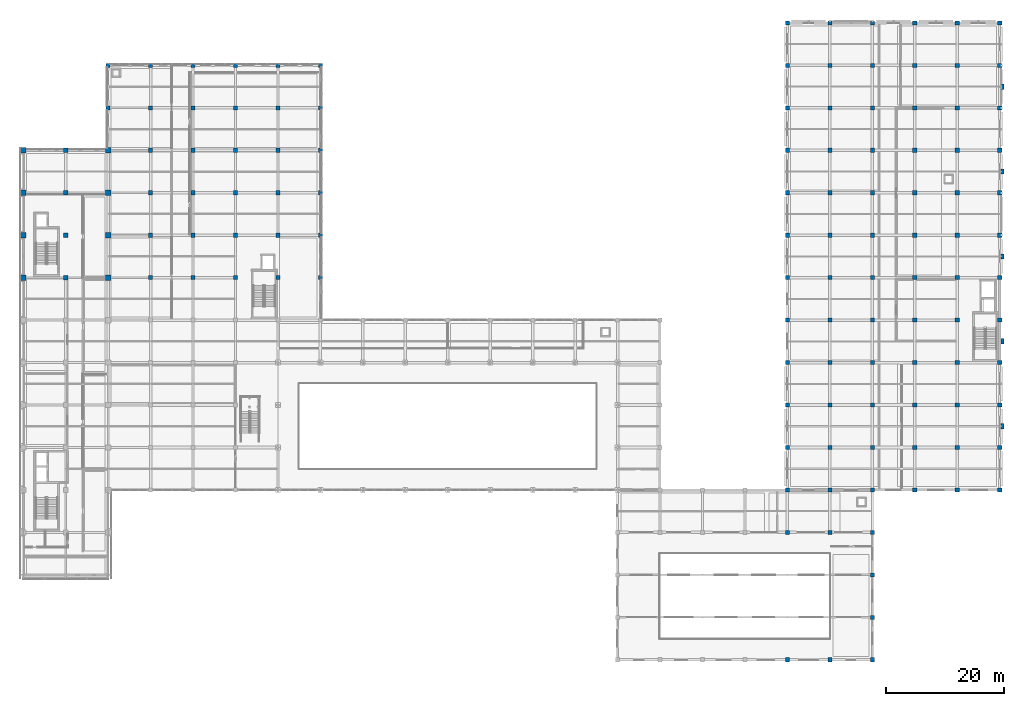
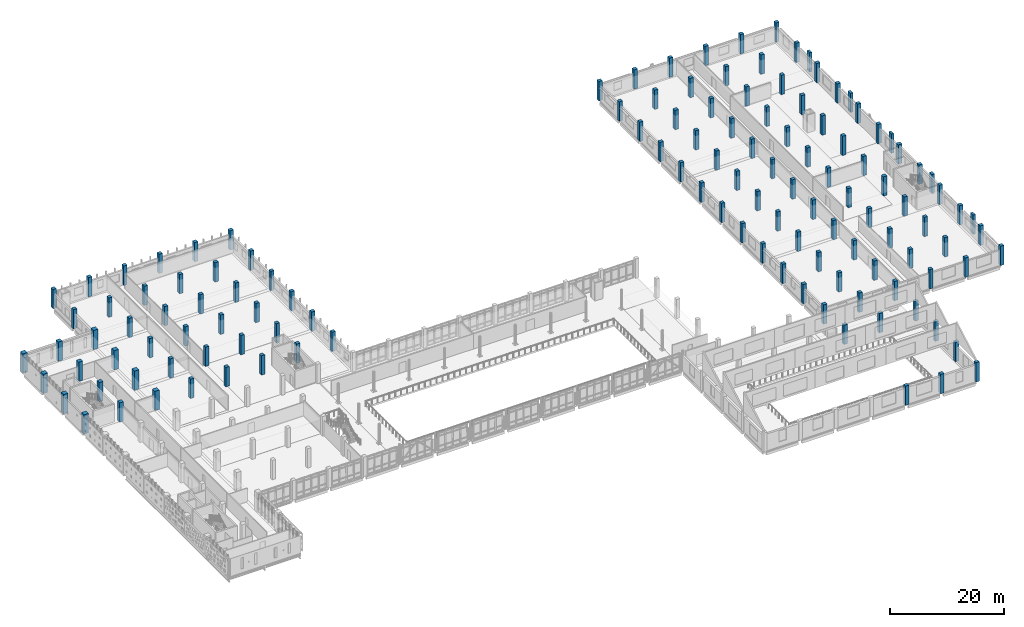
# One storey, part 8 of 62: 129 columns.
"""IFC4 building model written with IfcOpenShell, lengths in metres."""

from ifc_helpers import new_model, si_unit, direction, frame, origin, origin_2d, place, context, subcontext, project, spatial, rectangle, extrude, material, material_profile, profile_set, type_object, element, save


model = new_model("IFC4")

# Units and contexts
model_context = context("Model", 3, precision=1e-05, world=origin(), true_north=direction((0.0, 1.0)))
body_context = subcontext(model_context, "Body", "Model", "MODEL_VIEW")
ifc_project = project(units=[si_unit("LENGTHUNIT", "METRE"), si_unit("AREAUNIT", "SQUARE_METRE"), si_unit("VOLUMEUNIT", "CUBIC_METRE"), si_unit("PLANEANGLEUNIT", "RADIAN"), si_unit("MASSUNIT", "GRAM", prefix="KILO")], contexts=[model_context])

# Site, building, storey
site_placement = place(None, origin())
site = spatial("IfcSite", under=ifc_project, at=site_placement, CompositionType="ELEMENT")
building_placement = place(site_placement, origin())
building = spatial("IfcBuilding", under=site, at=building_placement, Name="Valkovuoma Quantum and Materials Research Institute", CompositionType="ELEMENT")
storey_placement = place(building_placement, frame((0.0, 0.0, 8.9599609375)))
storey = spatial("IfcBuildingStorey", under=building, at=storey_placement, Name="L02", CompositionType="ELEMENT", Elevation=8.9599609375)

# Columns
ifc_material_1 = material(Name="Concrete C40/50", Category="concrete")
ifc_material_profile_1 = material_profile(ifc_material_1, rectangle(XDim=0.5, YDim=0.89990234375, at=origin_2d()), Name="Concrete C40/50")
ifc_profile_set_1 = profile_set([ifc_material_profile_1], Name="Concrete C40/50")
column_type_1 = type_object("IfcColumnType", Name="Col-C-PIL900", PredefinedType="PILASTER", material=ifc_profile_set_1)
for number, where, z_axis, x_axis, name in (
    (1, (166.080078125, 46.800048828125, 0.0), (0.0, 0.0, 1.0), (1.0, 0.0, 0.0), "L02 service spine pilaster 01"),
    (2, (166.080078125, 61.199951171875, 0.0), (0.0, 0.0, 1.0), (1.0, 0.0, 0.0), "L02 service spine pilaster 02"),
    (3, (166.080078125, 75.60009765625, 0.0), (0.0, 0.0, 1.0), (1.0, 0.0, 0.0), "L02 service spine pilaster 03"),
    (4, (166.080078125, 90.0, 0.0), (0.0, 0.0, 1.0), (1.0, 0.0, 0.0), "L02 service spine pilaster 04"),
    (5, (166.080078125, 104.39990234375, 0.0), (0.0, 0.0, 1.0), (1.0, 0.0, 0.0), "L02 service spine pilaster 05"),
):
    element("IfcColumn", number, at=place(storey_placement, frame(where, z_axis=z_axis, x_axis=x_axis)), inside=storey, type_object=column_type_1, Name=name, PredefinedType="PILASTER", context=body_context, shape_type="SweptSolid", body=[
        extrude(rectangle(XDim=0.5, YDim=0.89990234375, at=origin_2d()), origin(), (0.0, 0.0, 1.0), 4.16015625),
    ])
ifc_material_2 = material(Name="Concrete C40/50", Category="concrete")
ifc_material_profile_2 = material_profile(ifc_material_2, rectangle(XDim=0.699951171875, YDim=0.699951171875, at=origin_2d()), Name="Concrete C40/50")
ifc_profile_set_2 = profile_set([ifc_material_profile_2], Name="Concrete C40/50")
column_type_2 = type_object("IfcColumnType", Name="Col-C-RC700", PredefinedType="COLUMN", material=ifc_profile_set_2)
for number, where, z_axis, x_axis, name in (
    (6, (14.39990234375, 100.800048828125, 0.0), (0.0, 0.0, 1.0), (1.0, 0.0, 0.0), "L02 column 03Q"),
    (7, (14.39990234375, 108.0, 0.0), (0.0, 0.0, 1.0), (1.0, 0.0, 0.0), "L02 column 03R"),
    (8, (21.60009765625, 72.0, 0.0), (0.0, 0.0, 1.0), (1.0, 0.0, 0.0), "L02 column 04L"),
    (9, (21.60009765625, 79.199951171875, 0.0), (0.0, 0.0, 1.0), (1.0, 0.0, 0.0), "L02 column 04M"),
    (10, (21.60009765625, 86.39990234375, 0.0), (0.0, 0.0, 1.0), (1.0, 0.0, 0.0), "L02 column 04N"),
    (11, (21.60009765625, 93.60009765625, 0.0), (0.0, 0.0, 1.0), (1.0, 0.0, 0.0), "L02 column 04P"),
    (12, (21.60009765625, 100.800048828125, 0.0), (0.0, 0.0, 1.0), (1.0, 0.0, 0.0), "L02 column 04Q"),
    (13, (21.60009765625, 108.0, 0.0), (0.0, 0.0, 1.0), (1.0, 0.0, 0.0), "L02 column 04R"),
    (14, (28.800048828125, 72.0, 0.0), (0.0, 0.0, 1.0), (1.0, 0.0, 0.0), "L02 column 05L"),
    (15, (28.800048828125, 79.199951171875, 0.0), (0.0, 0.0, 1.0), (1.0, 0.0, 0.0), "L02 column 05M"),
    (16, (28.800048828125, 86.39990234375, 0.0), (0.0, 0.0, 1.0), (1.0, 0.0, 0.0), "L02 column 05N"),
    (17, (28.800048828125, 93.60009765625, 0.0), (0.0, 0.0, 1.0), (1.0, 0.0, 0.0), "L02 column 05P"),
    (18, (28.800048828125, 100.800048828125, 0.0), (0.0, 0.0, 1.0), (1.0, 0.0, 0.0), "L02 column 05Q"),
    (19, (28.800048828125, 108.0, 0.0), (0.0, 0.0, 1.0), (1.0, 0.0, 0.0), "L02 column 05R"),
    (20, (36.0, 72.0, 0.0), (0.0, 0.0, 1.0), (1.0, 0.0, 0.0), "L02 column 06L"),
    (21, (36.0, 79.199951171875, 0.0), (0.0, 0.0, 1.0), (1.0, 0.0, 0.0), "L02 column 06M"),
    (22, (36.0, 86.39990234375, 0.0), (0.0, 0.0, 1.0), (1.0, 0.0, 0.0), "L02 column 06N"),
    (23, (36.0, 93.60009765625, 0.0), (0.0, 0.0, 1.0), (1.0, 0.0, 0.0), "L02 column 06P"),
    (24, (36.0, 100.800048828125, 0.0), (0.0, 0.0, 1.0), (1.0, 0.0, 0.0), "L02 column 06Q"),
    (25, (36.0, 108.0, 0.0), (0.0, 0.0, 1.0), (1.0, 0.0, 0.0), "L02 column 06R"),
    (26, (43.199951171875, 72.0, 0.0), (0.0, 0.0, 1.0), (1.0, 0.0, 0.0), "L02 column 07L"),
    (27, (43.199951171875, 79.199951171875, 0.0), (0.0, 0.0, 1.0), (1.0, 0.0, 0.0), "L02 column 07M"),
    (28, (43.199951171875, 86.39990234375, 0.0), (0.0, 0.0, 1.0), (1.0, 0.0, 0.0), "L02 column 07N"),
    (29, (43.199951171875, 93.60009765625, 0.0), (0.0, 0.0, 1.0), (1.0, 0.0, 0.0), "L02 column 07P"),
    (30, (43.199951171875, 100.800048828125, 0.0), (0.0, 0.0, 1.0), (1.0, 0.0, 0.0), "L02 column 07Q"),
    (31, (43.199951171875, 108.0, 0.0), (0.0, 0.0, 1.0), (1.0, 0.0, 0.0), "L02 column 07R"),
    (32, (50.39990234375, 72.0, 0.0), (0.0, 0.0, 1.0), (1.0, 0.0, 0.0), "L02 column 08L"),
    (33, (50.39990234375, 79.199951171875, 0.0), (0.0, 0.0, 1.0), (1.0, 0.0, 0.0), "L02 column 08M"),
    (34, (50.39990234375, 86.39990234375, 0.0), (0.0, 0.0, 1.0), (1.0, 0.0, 0.0), "L02 column 08N"),
    (35, (50.39990234375, 93.60009765625, 0.0), (0.0, 0.0, 1.0), (1.0, 0.0, 0.0), "L02 column 08P"),
    (36, (50.39990234375, 100.800048828125, 0.0), (0.0, 0.0, 1.0), (1.0, 0.0, 0.0), "L02 column 08Q"),
    (37, (50.39990234375, 108.0, 0.0), (0.0, 0.0, 1.0), (1.0, 0.0, 0.0), "L02 column 08R"),
    (38, (129.60009765625, 7.199951171875, 0.0), (0.0, 0.0, 1.0), (1.0, 0.0, 0.0), "L02 column 19B"),
    (39, (129.60009765625, 28.800048828125, 0.0), (0.0, 0.0, 1.0), (1.0, 0.0, 0.0), "L02 column 19E"),
    (40, (129.60009765625, 36.0, 0.0), (0.0, 0.0, 1.0), (1.0, 0.0, 0.0), "L02 column 19F"),
    (41, (129.60009765625, 43.199951171875, 0.0), (0.0, 0.0, 1.0), (1.0, 0.0, 0.0), "L02 column 19G"),
    (42, (129.60009765625, 50.39990234375, 0.0), (0.0, 0.0, 1.0), (1.0, 0.0, 0.0), "L02 column 19H"),
    (43, (129.60009765625, 57.60009765625, 0.0), (0.0, 0.0, 1.0), (1.0, 0.0, 0.0), "L02 column 19J"),
    (44, (129.60009765625, 64.800048828125, 0.0), (0.0, 0.0, 1.0), (1.0, 0.0, 0.0), "L02 column 19K"),
    (45, (129.60009765625, 72.0, 0.0), (0.0, 0.0, 1.0), (1.0, 0.0, 0.0), "L02 column 19L"),
    (46, (129.60009765625, 79.199951171875, 0.0), (0.0, 0.0, 1.0), (1.0, 0.0, 0.0), "L02 column 19M"),
    (47, (129.60009765625, 86.39990234375, 0.0), (0.0, 0.0, 1.0), (1.0, 0.0, 0.0), "L02 column 19N"),
    (48, (129.60009765625, 93.60009765625, 0.0), (0.0, 0.0, 1.0), (1.0, 0.0, 0.0), "L02 column 19P"),
    (49, (129.60009765625, 100.800048828125, 0.0), (0.0, 0.0, 1.0), (1.0, 0.0, 0.0), "L02 column 19Q"),
    (50, (129.60009765625, 108.0, 0.0), (0.0, 0.0, 1.0), (1.0, 0.0, 0.0), "L02 column 19R"),
    (51, (129.60009765625, 115.199951171875, 0.0), (0.0, 0.0, 1.0), (1.0, 0.0, 0.0), "L02 column 19S"),
    (52, (136.800048828125, 7.199951171875, 0.0), (0.0, 0.0, 1.0), (1.0, 0.0, 0.0), "L02 column 20B"),
    (53, (136.800048828125, 28.800048828125, 0.0), (0.0, 0.0, 1.0), (1.0, 0.0, 0.0), "L02 column 20E"),
    (54, (136.800048828125, 36.0, 0.0), (0.0, 0.0, 1.0), (1.0, 0.0, 0.0), "L02 column 20F"),
    (55, (136.800048828125, 43.199951171875, 0.0), (0.0, 0.0, 1.0), (1.0, 0.0, 0.0), "L02 column 20G"),
    (56, (136.800048828125, 50.39990234375, 0.0), (0.0, 0.0, 1.0), (1.0, 0.0, 0.0), "L02 column 20H"),
    (57, (136.800048828125, 57.60009765625, 0.0), (0.0, 0.0, 1.0), (1.0, 0.0, 0.0), "L02 column 20J"),
    (58, (136.800048828125, 64.800048828125, 0.0), (0.0, 0.0, 1.0), (1.0, 0.0, 0.0), "L02 column 20K"),
    (59, (136.800048828125, 72.0, 0.0), (0.0, 0.0, 1.0), (1.0, 0.0, 0.0), "L02 column 20L"),
    (60, (136.800048828125, 79.199951171875, 0.0), (0.0, 0.0, 1.0), (1.0, 0.0, 0.0), "L02 column 20M"),
    (61, (136.800048828125, 86.39990234375, 0.0), (0.0, 0.0, 1.0), (1.0, 0.0, 0.0), "L02 column 20N"),
    (62, (136.800048828125, 93.60009765625, 0.0), (0.0, 0.0, 1.0), (1.0, 0.0, 0.0), "L02 column 20P"),
    (63, (136.800048828125, 100.800048828125, 0.0), (0.0, 0.0, 1.0), (1.0, 0.0, 0.0), "L02 column 20Q"),
    (64, (136.800048828125, 108.0, 0.0), (0.0, 0.0, 1.0), (1.0, 0.0, 0.0), "L02 column 20R"),
    (65, (136.800048828125, 115.199951171875, 0.0), (0.0, 0.0, 1.0), (1.0, 0.0, 0.0), "L02 column 20S"),
    (66, (144.0, 7.199951171875, 0.0), (0.0, 0.0, 1.0), (1.0, 0.0, 0.0), "L02 column 21B"),
    (67, (144.0, 14.39990234375, 0.0), (0.0, 0.0, 1.0), (1.0, 0.0, 0.0), "L02 column 21C"),
    (68, (144.0, 21.60009765625, 0.0), (0.0, 0.0, 1.0), (1.0, 0.0, 0.0), "L02 column 21D"),
    (69, (144.0, 28.800048828125, 0.0), (0.0, 0.0, 1.0), (1.0, 0.0, 0.0), "L02 column 21E"),
    (70, (144.0, 36.0, 0.0), (0.0, 0.0, 1.0), (1.0, 0.0, 0.0), "L02 column 21F"),
    (71, (144.0, 43.199951171875, 0.0), (0.0, 0.0, 1.0), (1.0, 0.0, 0.0), "L02 column 21G"),
    (72, (144.0, 50.39990234375, 0.0), (0.0, 0.0, 1.0), (1.0, 0.0, 0.0), "L02 column 21H"),
    (73, (144.0, 57.60009765625, 0.0), (0.0, 0.0, 1.0), (1.0, 0.0, 0.0), "L02 column 21J"),
    (74, (144.0, 64.800048828125, 0.0), (0.0, 0.0, 1.0), (1.0, 0.0, 0.0), "L02 column 21K"),
    (75, (144.0, 72.0, 0.0), (0.0, 0.0, 1.0), (1.0, 0.0, 0.0), "L02 column 21L"),
    (76, (144.0, 79.199951171875, 0.0), (0.0, 0.0, 1.0), (1.0, 0.0, 0.0), "L02 column 21M"),
    (77, (144.0, 86.39990234375, 0.0), (0.0, 0.0, 1.0), (1.0, 0.0, 0.0), "L02 column 21N"),
    (78, (144.0, 93.60009765625, 0.0), (0.0, 0.0, 1.0), (1.0, 0.0, 0.0), "L02 column 21P"),
    (79, (144.0, 100.800048828125, 0.0), (0.0, 0.0, 1.0), (1.0, 0.0, 0.0), "L02 column 21Q"),
    (80, (144.0, 108.0, 0.0), (0.0, 0.0, 1.0), (1.0, 0.0, 0.0), "L02 column 21R"),
    (81, (144.0, 115.199951171875, 0.0), (0.0, 0.0, 1.0), (1.0, 0.0, 0.0), "L02 column 21S"),
    (82, (151.199951171875, 36.0, 0.0), (0.0, 0.0, 1.0), (1.0, 0.0, 0.0), "L02 column 22F"),
    (83, (151.199951171875, 43.199951171875, 0.0), (0.0, 0.0, 1.0), (1.0, 0.0, 0.0), "L02 column 22G"),
    (84, (151.199951171875, 50.39990234375, 0.0), (0.0, 0.0, 1.0), (1.0, 0.0, 0.0), "L02 column 22H"),
    (85, (151.199951171875, 57.60009765625, 0.0), (0.0, 0.0, 1.0), (1.0, 0.0, 0.0), "L02 column 22J"),
    (86, (151.199951171875, 64.800048828125, 0.0), (0.0, 0.0, 1.0), (1.0, 0.0, 0.0), "L02 column 22K"),
    (87, (151.199951171875, 72.0, 0.0), (0.0, 0.0, 1.0), (1.0, 0.0, 0.0), "L02 column 22L"),
    (88, (151.199951171875, 79.199951171875, 0.0), (0.0, 0.0, 1.0), (1.0, 0.0, 0.0), "L02 column 22M"),
    (89, (151.199951171875, 86.39990234375, 0.0), (0.0, 0.0, 1.0), (1.0, 0.0, 0.0), "L02 column 22N"),
    (90, (151.199951171875, 93.60009765625, 0.0), (0.0, 0.0, 1.0), (1.0, 0.0, 0.0), "L02 column 22P"),
    (91, (151.199951171875, 100.800048828125, 0.0), (0.0, 0.0, 1.0), (1.0, 0.0, 0.0), "L02 column 22Q"),
    (92, (151.199951171875, 108.0, 0.0), (0.0, 0.0, 1.0), (1.0, 0.0, 0.0), "L02 column 22R"),
    (93, (151.199951171875, 115.199951171875, 0.0), (0.0, 0.0, 1.0), (1.0, 0.0, 0.0), "L02 column 22S"),
    (94, (158.39990234375, 36.0, 0.0), (0.0, 0.0, 1.0), (1.0, 0.0, 0.0), "L02 column 23F"),
    (95, (158.39990234375, 43.199951171875, 0.0), (0.0, 0.0, 1.0), (1.0, 0.0, 0.0), "L02 column 23G"),
    (96, (158.39990234375, 50.39990234375, 0.0), (0.0, 0.0, 1.0), (1.0, 0.0, 0.0), "L02 column 23H"),
    (97, (158.39990234375, 57.60009765625, 0.0), (0.0, 0.0, 1.0), (1.0, 0.0, 0.0), "L02 column 23J"),
    (98, (158.39990234375, 64.800048828125, 0.0), (0.0, 0.0, 1.0), (1.0, 0.0, 0.0), "L02 column 23K"),
    (99, (158.39990234375, 72.0, 0.0), (0.0, 0.0, 1.0), (1.0, 0.0, 0.0), "L02 column 23L"),
    (100, (158.39990234375, 79.199951171875, 0.0), (0.0, 0.0, 1.0), (1.0, 0.0, 0.0), "L02 column 23M"),
    (101, (158.39990234375, 86.39990234375, 0.0), (0.0, 0.0, 1.0), (1.0, 0.0, 0.0), "L02 column 23N"),
    (102, (158.39990234375, 93.60009765625, 0.0), (0.0, 0.0, 1.0), (1.0, 0.0, 0.0), "L02 column 23P"),
    (103, (158.39990234375, 100.800048828125, 0.0), (0.0, 0.0, 1.0), (1.0, 0.0, 0.0), "L02 column 23Q"),
    (104, (158.39990234375, 108.0, 0.0), (0.0, 0.0, 1.0), (1.0, 0.0, 0.0), "L02 column 23R"),
    (105, (158.39990234375, 115.199951171875, 0.0), (0.0, 0.0, 1.0), (1.0, 0.0, 0.0), "L02 column 23S"),
    (106, (165.60009765625, 36.0, 0.0), (0.0, 0.0, 1.0), (1.0, 0.0, 0.0), "L02 column 24F"),
    (107, (165.60009765625, 43.199951171875, 0.0), (0.0, 0.0, 1.0), (1.0, 0.0, 0.0), "L02 column 24G"),
    (108, (165.60009765625, 50.39990234375, 0.0), (0.0, 0.0, 1.0), (1.0, 0.0, 0.0), "L02 column 24H"),
    (109, (165.60009765625, 57.60009765625, 0.0), (0.0, 0.0, 1.0), (1.0, 0.0, 0.0), "L02 column 24J"),
    (110, (165.60009765625, 64.800048828125, 0.0), (0.0, 0.0, 1.0), (1.0, 0.0, 0.0), "L02 column 24K"),
    (111, (165.60009765625, 72.0, 0.0), (0.0, 0.0, 1.0), (1.0, 0.0, 0.0), "L02 column 24L"),
    (112, (165.60009765625, 79.199951171875, 0.0), (0.0, 0.0, 1.0), (1.0, 0.0, 0.0), "L02 column 24M"),
    (113, (165.60009765625, 86.39990234375, 0.0), (0.0, 0.0, 1.0), (1.0, 0.0, 0.0), "L02 column 24N"),
    (114, (165.60009765625, 93.60009765625, 0.0), (0.0, 0.0, 1.0), (1.0, 0.0, 0.0), "L02 column 24P"),
    (115, (165.60009765625, 100.800048828125, 0.0), (0.0, 0.0, 1.0), (1.0, 0.0, 0.0), "L02 column 24Q"),
    (116, (165.60009765625, 108.0, 0.0), (0.0, 0.0, 1.0), (1.0, 0.0, 0.0), "L02 column 24R"),
    (117, (165.60009765625, 115.199951171875, 0.0), (0.0, 0.0, 1.0), (1.0, 0.0, 0.0), "L02 column 24S"),
):
    element("IfcColumn", number, at=place(storey_placement, frame(where, z_axis=z_axis, x_axis=x_axis)), inside=storey, type_object=column_type_2, Name=name, PredefinedType="COLUMN", context=body_context, shape_type="SweptSolid", body=[
        extrude(rectangle(XDim=0.699951171875, YDim=0.699951171875, at=origin_2d()), origin(), (0.0, 0.0, 1.0), 4.16015625),
    ])
ifc_material_3 = material(Name="Concrete C50/60", Category="concrete")
ifc_material_profile_3 = material_profile(ifc_material_3, rectangle(XDim=0.800048828125, YDim=0.800048828125, at=origin_2d()), Name="Concrete C50/60")
ifc_profile_set_3 = profile_set([ifc_material_profile_3], Name="Concrete C50/60")
column_type_3 = type_object("IfcColumnType", Name="Col-C-RC800", PredefinedType="COLUMN", material=ifc_profile_set_3)
for number, where, z_axis, x_axis, name in (
    (118, (7.199951171875, 72.0, 0.0), (0.0, 0.0, 1.0), (1.0, 0.0, 0.0), "L02 column 02L"),
    (119, (7.199951171875, 79.199951171875, 0.0), (0.0, 0.0, 1.0), (1.0, 0.0, 0.0), "L02 column 02M"),
    (120, (7.199951171875, 86.39990234375, 0.0), (0.0, 0.0, 1.0), (1.0, 0.0, 0.0), "L02 column 02N"),
    (121, (7.199951171875, 93.60009765625, 0.0), (0.0, 0.0, 1.0), (1.0, 0.0, 0.0), "L02 column 02P"),
):
    element("IfcColumn", number, at=place(storey_placement, frame(where, z_axis=z_axis, x_axis=x_axis)), inside=storey, type_object=column_type_3, Name=name, PredefinedType="COLUMN", context=body_context, shape_type="SweptSolid", body=[
        extrude(rectangle(XDim=0.800048828125, YDim=0.800048828125, at=origin_2d()), origin(), (0.0, 0.0, 1.0), 4.16015625),
    ])
ifc_material_4 = material(Name="Concrete C50/60", Category="concrete")
ifc_material_profile_4 = material_profile(ifc_material_4, rectangle(XDim=0.89990234375, YDim=0.89990234375, at=origin_2d()), Name="Concrete C50/60")
ifc_profile_set_4 = profile_set([ifc_material_profile_4], Name="Concrete C50/60")
column_type_4 = type_object("IfcColumnType", Name="Col-C-RC900", PredefinedType="COLUMN", material=ifc_profile_set_4)
for number, where, z_axis, x_axis, name in (
    (122, (0.0, 72.0, 0.0), (0.0, 0.0, 1.0), (1.0, 0.0, 0.0), "L02 column 01L"),
    (123, (0.0, 79.199951171875, 0.0), (0.0, 0.0, 1.0), (1.0, 0.0, 0.0), "L02 column 01M"),
    (124, (0.0, 86.39990234375, 0.0), (0.0, 0.0, 1.0), (1.0, 0.0, 0.0), "L02 column 01N"),
    (125, (0.0, 93.60009765625, 0.0), (0.0, 0.0, 1.0), (1.0, 0.0, 0.0), "L02 column 01P"),
    (126, (14.39990234375, 72.0, 0.0), (0.0, 0.0, 1.0), (1.0, 0.0, 0.0), "L02 column 03L"),
    (127, (14.39990234375, 79.199951171875, 0.0), (0.0, 0.0, 1.0), (1.0, 0.0, 0.0), "L02 column 03M"),
    (128, (14.39990234375, 86.39990234375, 0.0), (0.0, 0.0, 1.0), (1.0, 0.0, 0.0), "L02 column 03N"),
    (129, (14.39990234375, 93.60009765625, 0.0), (0.0, 0.0, 1.0), (1.0, 0.0, 0.0), "L02 column 03P"),
):
    element("IfcColumn", number, at=place(storey_placement, frame(where, z_axis=z_axis, x_axis=x_axis)), inside=storey, type_object=column_type_4, Name=name, PredefinedType="COLUMN", context=body_context, shape_type="SweptSolid", body=[
        extrude(rectangle(XDim=0.89990234375, YDim=0.89990234375, at=origin_2d()), origin(), (0.0, 0.0, 1.0), 4.16015625),
    ])

save(model, "model.ifc")
